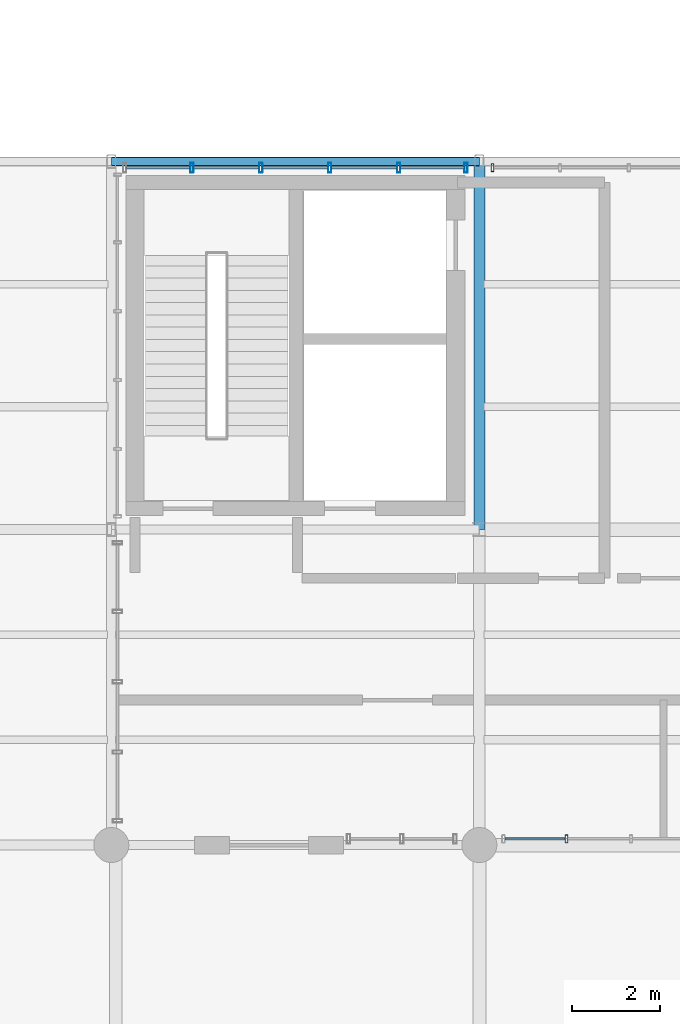
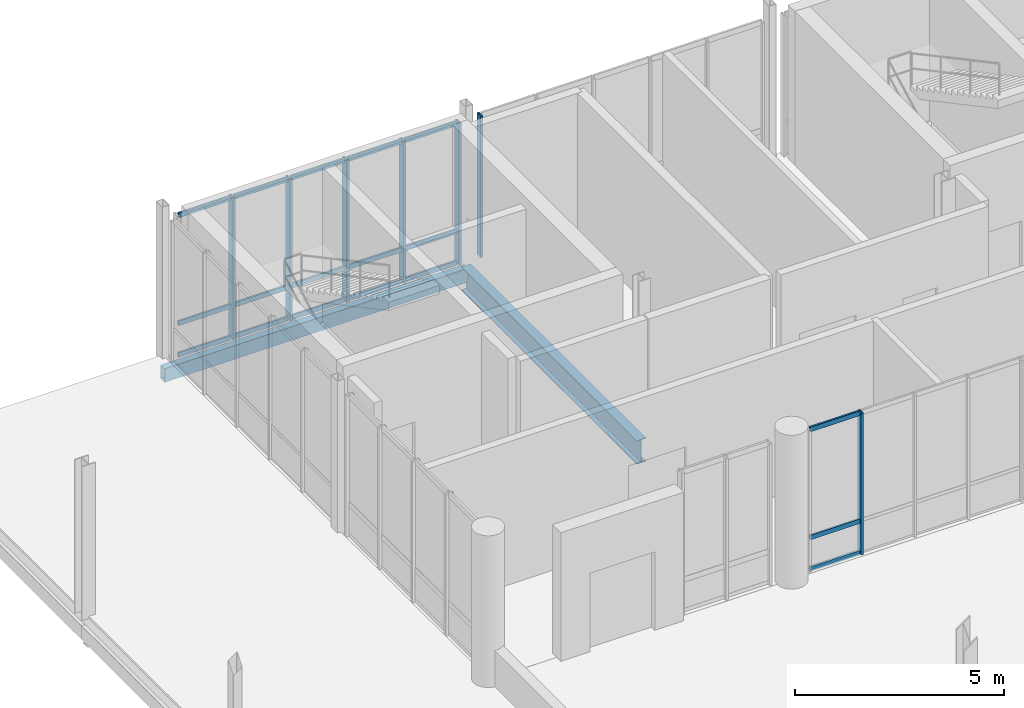
# One storey, part 11 of 68: 25 members, 2 beams, 3 elements without a shape of their own.
"""IFC4 building model written with IfcOpenShell, lengths in metres."""

from ifc_helpers import new_model, si_unit, direction, frame, origin_with_axes, origin_2d_with_axis, place, context, subcontext, project, spatial, hollow_rectangle, i_section, extrude, material, material_profile, profile_set, type_object, element, aggregate, save


model = new_model("IFC4")

# Units and contexts
model_context = context("Model", 3, precision=1e-05, world=origin_with_axes(), true_north=direction((0.0, 1.0)))
body_context = subcontext(model_context, "Body", "Model", "MODEL_VIEW")
ifc_project = project(units=[si_unit("LENGTHUNIT", "METRE"), si_unit("AREAUNIT", "SQUARE_METRE"), si_unit("VOLUMEUNIT", "CUBIC_METRE"), si_unit("PLANEANGLEUNIT", "RADIAN"), si_unit("MASSUNIT", "GRAM", prefix="KILO"), si_unit("THERMODYNAMICTEMPERATUREUNIT", "KELVIN")], contexts=[model_context])

# Site, building, storey
site_placement = place(None, origin_with_axes())
site = spatial("IfcSite", under=ifc_project, at=site_placement, CompositionType="ELEMENT")
building_placement = place(site_placement, origin_with_axes())
building = spatial("IfcBuilding", under=site, at=building_placement, Name="Montbau Bow Law Courts", CompositionType="ELEMENT")
storey_placement = place(building_placement, frame((0.0, 0.0, 20.4), z_axis=(0.0, 0.0, 1.0), x_axis=(1.0, 0.0, 0.0)))
storey = spatial("IfcBuildingStorey", under=building, at=storey_placement, Name="L04", CompositionType="ELEMENT", Elevation=20.4)

# Beams
ifc_material_1 = material(Name="Steel CSA G40.21 Grade 350W (350 MPa)", Category="steel")
ifc_material_profile_1 = material_profile(ifc_material_1, i_section(OverallWidth=0.254, OverallDepth=0.688, WebThickness=0.0131, FlangeThickness=0.0211, at=origin_2d_with_axis()), Name="W690X152", Category="Main", Priority=0)
ifc_profile_set_1 = profile_set([ifc_material_profile_1], Name="Steel CSA G40.21 Grade 350W (350 MPa)")
beam_type_1 = type_object("IfcBeamType", Name="B-FLR-04", PredefinedType="BEAM", material=ifc_profile_set_1)
beam_1_placement = place(None, frame((22.2, 46.2, 19.796), z_axis=(0.0, 1.0, 0.0), x_axis=(-1.0, 0.0, 0.0)))
element("IfcBeam", 1, at=beam_1_placement, inside=storey, type_object=beam_type_1, Name="BM-L04-S0644:bm2_0647", PredefinedType="BEAM", context=body_context, shape_type="SweptSolid", body=[
    extrude(i_section(OverallWidth=0.254, OverallDepth=0.688, WebThickness=0.0131, FlangeThickness=0.0211, at=origin_2d_with_axis()), origin_with_axes(), (0.0, 0.0, 1.0), 8.4),
])
ifc_material_2 = material(Name="Steel CSA G40.21 Grade 350WT (350 MPa)", Category="steel")
ifc_material_profile_2 = material_profile(ifc_material_2, hollow_rectangle(XDim=0.203, YDim=0.406, WallThickness=0.0127, InnerFilletRadius=0.0254, OuterFilletRadius=0.0127, at=origin_2d_with_axis()), Name="HSS406X203X13", Category="Main", Priority=0)
ifc_profile_set_2 = profile_set([ifc_material_profile_2], Name="Steel CSA G40.21 Grade 350WT (350 MPa)")
beam_type_2 = type_object("IfcBeamType", Name="B-SPN-01", PredefinedType="SPANDREL", material=ifc_profile_set_2)
beam_2_placement = place(None, frame((13.8, 54.6, 19.907), z_axis=(1.0, 0.0, 0.0), x_axis=(0.0, 1.0, 0.0)))
element("IfcBeam", 2, at=beam_2_placement, inside=storey, type_object=beam_type_2, Name="SPN-L04-S0633:bm2_0636", PredefinedType="SPANDREL", context=body_context, shape_type="SweptSolid", body=[
    extrude(hollow_rectangle(XDim=0.203, YDim=0.406, WallThickness=0.0127, InnerFilletRadius=0.0254, OuterFilletRadius=0.0127, at=origin_2d_with_axis()), origin_with_axes(), (0.0, 0.0, 1.0), 8.4),
])

# Curtain wall, members
ifc_material_3 = material(Name="Thermally Broken Extruded Aluminium AA 6063-T6", Category="aluminium")
curtain_wall_type = type_object("IfcCurtainWallType", Name="CW-NCK-01", PredefinedType="NOTDEFINED", material=ifc_material_3)
curtain_wall_1_placement = place(None, frame((14.068, 54.46, 20.4), z_axis=(0.0, 0.0, 1.0), x_axis=(1.0, 0.0, 0.0)))
curtain_wall_1 = element("IfcCurtainWall", 3, at=curtain_wall_1_placement, inside=storey, type_object=curtain_wall_type, Name="CW-L04-069:cw_0069", PredefinedType="NOTDEFINED")
ifc_material_profile_3 = material_profile(ifc_material_3, hollow_rectangle(XDim=0.075, YDim=0.22, WallThickness=0.005, InnerFilletRadius=0.01, OuterFilletRadius=0.005, at=origin_2d_with_axis()), Name="CWM-220X75", Category="Main", Priority=0)
ifc_profile_set_3 = profile_set([ifc_material_profile_3], Name="Thermally Broken Extruded Aluminium AA 6063-T6")
member_type_1 = type_object("IfcMemberType", Name="M-MUL-01", PredefinedType="MULLION", material=ifc_profile_set_3)
member_1_placement = place(None, frame((15.641, 54.46, 20.4), z_axis=(0.0, 0.0, 1.0), x_axis=(1.0, 0.0, 0.0)))
member_1 = element("IfcMember", 4, at=member_1_placement, type_object=member_type_1, Name="CW-L04-069-M02:cw_0069_M02", PredefinedType="MULLION", context=body_context, shape_type="SweptSolid", body=[
    extrude(hollow_rectangle(XDim=0.075, YDim=0.22, WallThickness=0.005, InnerFilletRadius=0.01, OuterFilletRadius=0.005, at=origin_2d_with_axis()), origin_with_axes(), (0.0, 0.0, 1.0), 4.14),
])
member_2_placement = place(None, frame((17.214, 54.46, 20.4), z_axis=(0.0, 0.0, 1.0), x_axis=(1.0, 0.0, 0.0)))
member_2 = element("IfcMember", 5, at=member_2_placement, type_object=member_type_1, Name="CW-L04-069-M03:cw_0069_M03", PredefinedType="MULLION", context=body_context, shape_type="SweptSolid", body=[
    extrude(hollow_rectangle(XDim=0.075, YDim=0.22, WallThickness=0.005, InnerFilletRadius=0.01, OuterFilletRadius=0.005, at=origin_2d_with_axis()), origin_with_axes(), (0.0, 0.0, 1.0), 4.14),
])
member_3_placement = place(None, frame((18.787, 54.46, 20.4), z_axis=(0.0, 0.0, 1.0), x_axis=(1.0, 0.0, 0.0)))
member_3 = element("IfcMember", 6, at=member_3_placement, type_object=member_type_1, Name="CW-L04-069-M04:cw_0069_M04", PredefinedType="MULLION", context=body_context, shape_type="SweptSolid", body=[
    extrude(hollow_rectangle(XDim=0.075, YDim=0.22, WallThickness=0.005, InnerFilletRadius=0.01, OuterFilletRadius=0.005, at=origin_2d_with_axis()), origin_with_axes(), (0.0, 0.0, 1.0), 4.14),
])
member_4_placement = place(None, frame((20.36, 54.46, 20.4), z_axis=(0.0, 0.0, 1.0), x_axis=(1.0, 0.0, 0.0)))
member_4 = element("IfcMember", 7, at=member_4_placement, type_object=member_type_1, Name="CW-L04-069-M05:cw_0069_M05", PredefinedType="MULLION", context=body_context, shape_type="SweptSolid", body=[
    extrude(hollow_rectangle(XDim=0.075, YDim=0.22, WallThickness=0.005, InnerFilletRadius=0.01, OuterFilletRadius=0.005, at=origin_2d_with_axis()), origin_with_axes(), (0.0, 0.0, 1.0), 4.14),
])
member_5_placement = place(None, frame((21.896, 54.46, 20.4), z_axis=(0.0, 0.0, 1.0), x_axis=(1.0, 0.0, 0.0)))
member_5 = element("IfcMember", 8, at=member_5_placement, type_object=member_type_1, Name="CW-L04-069-M06:cw_0069_M06", PredefinedType="MULLION", context=body_context, shape_type="SweptSolid", body=[
    extrude(hollow_rectangle(XDim=0.075, YDim=0.22, WallThickness=0.005, InnerFilletRadius=0.01, OuterFilletRadius=0.005, at=origin_2d_with_axis()), origin_with_axes(), (0.0, 0.0, 1.0), 4.14),
])

# Curtain wall, member
curtain_wall_2_placement = place(None, frame((22.715, 39.14, 20.4), z_axis=(0.0, 0.0, 1.0), x_axis=(1.0, 0.0, 0.0)))
curtain_wall_2 = element("IfcCurtainWall", 9, at=curtain_wall_2_placement, inside=storey, type_object=curtain_wall_type, Name="CW-L04-067:cw_0067", PredefinedType="NOTDEFINED")
ifc_material_profile_4 = material_profile(ifc_material_3, hollow_rectangle(XDim=0.065, YDim=0.18, WallThickness=0.005, InnerFilletRadius=0.01, OuterFilletRadius=0.005, at=origin_2d_with_axis()), Name="CWM-180X65", Category="Main", Priority=0)
ifc_profile_set_4 = profile_set([ifc_material_profile_4], Name="Thermally Broken Extruded Aluminium AA 6063-T6")
member_type_2 = type_object("IfcMemberType", Name="M-MUL-02", PredefinedType="MULLION", material=ifc_profile_set_4)
member_6_placement = place(None, frame((24.189, 39.14, 20.4), z_axis=(0.0, 0.0, 1.0), x_axis=(1.0, 0.0, 0.0)))
member_6 = element("IfcMember", 10, at=member_6_placement, type_object=member_type_2, Name="CW-L04-067-M02:cw_0067_M02", PredefinedType="MULLION", context=body_context, shape_type="SweptSolid", body=[
    extrude(hollow_rectangle(XDim=0.065, YDim=0.18, WallThickness=0.005, InnerFilletRadius=0.01, OuterFilletRadius=0.005, at=origin_2d_with_axis()), origin_with_axes(), (0.0, 0.0, 1.0), 4.14),
])

curtain_wall_3_placement = place(None, frame((22.467, 54.46, 20.4), z_axis=(0.0, 0.0, 1.0), x_axis=(1.0, 0.0, 0.0)))
curtain_wall_3 = element("IfcCurtainWall", 11, at=curtain_wall_3_placement, inside=storey, type_object=curtain_wall_type, Name="CW-L04-070:cw_0070", PredefinedType="NOTDEFINED")
member_7_placement = place(None, frame((22.5, 54.46, 20.4), z_axis=(0.0, 0.0, 1.0), x_axis=(1.0, 0.0, 0.0)))
member_7 = element("IfcMember", 12, at=member_7_placement, type_object=member_type_2, Name="CW-L04-070-M01:cw_0070_M01", PredefinedType="MULLION", context=body_context, shape_type="SweptSolid", body=[
    extrude(hollow_rectangle(XDim=0.065, YDim=0.18, WallThickness=0.005, InnerFilletRadius=0.01, OuterFilletRadius=0.005, at=origin_2d_with_axis()), origin_with_axes(), (0.0, 0.0, 1.0), 4.14),
])
aggregate(curtain_wall_3, [member_7])

# Member
ifc_material_profile_5 = material_profile(ifc_material_3, hollow_rectangle(XDim=0.055, YDim=0.14, WallThickness=0.004, InnerFilletRadius=0.008, OuterFilletRadius=0.004, at=origin_2d_with_axis()), Name="CWT-140X55", Category="Main", Priority=0)
ifc_profile_set_5 = profile_set([ifc_material_profile_5], Name="Thermally Broken Extruded Aluminium AA 6063-T6")
member_type_3 = type_object("IfcMemberType", Name="M-TRN-02", PredefinedType="USERDEFINED", material=ifc_profile_set_5)
member_8_placement = place(None, frame((22.783, 39.14, 20.427), z_axis=(1.0, 0.0, 0.0), x_axis=(0.0, 1.0, 0.0)))
member_8 = element("IfcMember", 13, at=member_8_placement, type_object=member_type_3, Name="CW-L04-067-T01-1:cw_0067_T01_1", ObjectType="TRANSOM", PredefinedType="USERDEFINED", context=body_context, shape_type="SweptSolid", body=[
    extrude(hollow_rectangle(XDim=0.055, YDim=0.14, WallThickness=0.004, InnerFilletRadius=0.008, OuterFilletRadius=0.004, at=origin_2d_with_axis()), origin_with_axes(), (0.0, 0.0, 1.0), 1.372),
])

member_9_placement = place(None, frame((22.783, 39.14, 21.35), z_axis=(1.0, 0.0, 0.0), x_axis=(0.0, 1.0, 0.0)))
member_9 = element("IfcMember", 14, at=member_9_placement, type_object=member_type_3, Name="CW-L04-067-T01-2:cw_0067_T01_2", ObjectType="TRANSOM", PredefinedType="USERDEFINED", context=body_context, shape_type="SweptSolid", body=[
    extrude(hollow_rectangle(XDim=0.055, YDim=0.14, WallThickness=0.004, InnerFilletRadius=0.008, OuterFilletRadius=0.004, at=origin_2d_with_axis()), origin_with_axes(), (0.0, 0.0, 1.0), 1.372),
])

member_10_placement = place(None, frame((22.783, 39.14, 24.512), z_axis=(1.0, 0.0, 0.0), x_axis=(0.0, 1.0, 0.0)))
member_10 = element("IfcMember", 15, at=member_10_placement, type_object=member_type_3, Name="CW-L04-067-T01-3:cw_0067_T01_3", ObjectType="TRANSOM", PredefinedType="USERDEFINED", context=body_context, shape_type="SweptSolid", body=[
    extrude(hollow_rectangle(XDim=0.055, YDim=0.14, WallThickness=0.004, InnerFilletRadius=0.008, OuterFilletRadius=0.004, at=origin_2d_with_axis()), origin_with_axes(), (0.0, 0.0, 1.0), 1.372),
])

aggregate(curtain_wall_2, [member_6, member_8, member_9, member_10])

member_11_placement = place(None, frame((14.144, 54.46, 20.427), z_axis=(1.0, 0.0, 0.0), x_axis=(0.0, 1.0, 0.0)))
member_11 = element("IfcMember", 16, at=member_11_placement, type_object=member_type_3, Name="CW-L04-069-T01-1:cw_0069_T01_1", ObjectType="TRANSOM", PredefinedType="USERDEFINED", context=body_context, shape_type="SweptSolid", body=[
    extrude(hollow_rectangle(XDim=0.055, YDim=0.14, WallThickness=0.004, InnerFilletRadius=0.008, OuterFilletRadius=0.004, at=origin_2d_with_axis()), origin_with_axes(), (0.0, 0.0, 1.0), 1.457),
])

member_12_placement = place(None, frame((14.144, 54.46, 21.35), z_axis=(1.0, 0.0, 0.0), x_axis=(0.0, 1.0, 0.0)))
member_12 = element("IfcMember", 17, at=member_12_placement, type_object=member_type_3, Name="CW-L04-069-T01-2:cw_0069_T01_2", ObjectType="TRANSOM", PredefinedType="USERDEFINED", context=body_context, shape_type="SweptSolid", body=[
    extrude(hollow_rectangle(XDim=0.055, YDim=0.14, WallThickness=0.004, InnerFilletRadius=0.008, OuterFilletRadius=0.004, at=origin_2d_with_axis()), origin_with_axes(), (0.0, 0.0, 1.0), 1.457),
])

member_13_placement = place(None, frame((14.144, 54.46, 24.512), z_axis=(1.0, 0.0, 0.0), x_axis=(0.0, 1.0, 0.0)))
member_13 = element("IfcMember", 18, at=member_13_placement, type_object=member_type_3, Name="CW-L04-069-T01-3:cw_0069_T01_3", ObjectType="TRANSOM", PredefinedType="USERDEFINED", context=body_context, shape_type="SweptSolid", body=[
    extrude(hollow_rectangle(XDim=0.055, YDim=0.14, WallThickness=0.004, InnerFilletRadius=0.008, OuterFilletRadius=0.004, at=origin_2d_with_axis()), origin_with_axes(), (0.0, 0.0, 1.0), 1.457),
])

member_14_placement = place(None, frame((15.681, 54.46, 20.427), z_axis=(1.0, 0.0, 0.0), x_axis=(0.0, 1.0, 0.0)))
member_14 = element("IfcMember", 19, at=member_14_placement, type_object=member_type_3, Name="CW-L04-069-T02-1:cw_0069_T02_1", ObjectType="TRANSOM", PredefinedType="USERDEFINED", context=body_context, shape_type="SweptSolid", body=[
    extrude(hollow_rectangle(XDim=0.055, YDim=0.14, WallThickness=0.004, InnerFilletRadius=0.008, OuterFilletRadius=0.004, at=origin_2d_with_axis()), origin_with_axes(), (0.0, 0.0, 1.0), 1.494),
])

member_15_placement = place(None, frame((15.681, 54.46, 21.35), z_axis=(1.0, 0.0, 0.0), x_axis=(0.0, 1.0, 0.0)))
member_15 = element("IfcMember", 20, at=member_15_placement, type_object=member_type_3, Name="CW-L04-069-T02-2:cw_0069_T02_2", ObjectType="TRANSOM", PredefinedType="USERDEFINED", context=body_context, shape_type="SweptSolid", body=[
    extrude(hollow_rectangle(XDim=0.055, YDim=0.14, WallThickness=0.004, InnerFilletRadius=0.008, OuterFilletRadius=0.004, at=origin_2d_with_axis()), origin_with_axes(), (0.0, 0.0, 1.0), 1.494),
])

member_16_placement = place(None, frame((15.681, 54.46, 24.512), z_axis=(1.0, 0.0, 0.0), x_axis=(0.0, 1.0, 0.0)))
member_16 = element("IfcMember", 21, at=member_16_placement, type_object=member_type_3, Name="CW-L04-069-T02-3:cw_0069_T02_3", ObjectType="TRANSOM", PredefinedType="USERDEFINED", context=body_context, shape_type="SweptSolid", body=[
    extrude(hollow_rectangle(XDim=0.055, YDim=0.14, WallThickness=0.004, InnerFilletRadius=0.008, OuterFilletRadius=0.004, at=origin_2d_with_axis()), origin_with_axes(), (0.0, 0.0, 1.0), 1.494),
])

member_17_placement = place(None, frame((17.253, 54.46, 20.427), z_axis=(1.0, 0.0, 0.0), x_axis=(0.0, 1.0, 0.0)))
member_17 = element("IfcMember", 22, at=member_17_placement, type_object=member_type_3, Name="CW-L04-069-T03-1:cw_0069_T03_1", ObjectType="TRANSOM", PredefinedType="USERDEFINED", context=body_context, shape_type="SweptSolid", body=[
    extrude(hollow_rectangle(XDim=0.055, YDim=0.14, WallThickness=0.004, InnerFilletRadius=0.008, OuterFilletRadius=0.004, at=origin_2d_with_axis()), origin_with_axes(), (0.0, 0.0, 1.0), 1.495),
])

member_18_placement = place(None, frame((17.253, 54.46, 21.35), z_axis=(1.0, 0.0, 0.0), x_axis=(0.0, 1.0, 0.0)))
member_18 = element("IfcMember", 23, at=member_18_placement, type_object=member_type_3, Name="CW-L04-069-T03-2:cw_0069_T03_2", ObjectType="TRANSOM", PredefinedType="USERDEFINED", context=body_context, shape_type="SweptSolid", body=[
    extrude(hollow_rectangle(XDim=0.055, YDim=0.14, WallThickness=0.004, InnerFilletRadius=0.008, OuterFilletRadius=0.004, at=origin_2d_with_axis()), origin_with_axes(), (0.0, 0.0, 1.0), 1.495),
])

member_19_placement = place(None, frame((17.253, 54.46, 24.512), z_axis=(1.0, 0.0, 0.0), x_axis=(0.0, 1.0, 0.0)))
member_19 = element("IfcMember", 24, at=member_19_placement, type_object=member_type_3, Name="CW-L04-069-T03-3:cw_0069_T03_3", ObjectType="TRANSOM", PredefinedType="USERDEFINED", context=body_context, shape_type="SweptSolid", body=[
    extrude(hollow_rectangle(XDim=0.055, YDim=0.14, WallThickness=0.004, InnerFilletRadius=0.008, OuterFilletRadius=0.004, at=origin_2d_with_axis()), origin_with_axes(), (0.0, 0.0, 1.0), 1.495),
])

member_20_placement = place(None, frame((18.826, 54.46, 20.427), z_axis=(1.0, 0.0, 0.0), x_axis=(0.0, 1.0, 0.0)))
member_20 = element("IfcMember", 25, at=member_20_placement, type_object=member_type_3, Name="CW-L04-069-T04-1:cw_0069_T04_1", ObjectType="TRANSOM", PredefinedType="USERDEFINED", context=body_context, shape_type="SweptSolid", body=[
    extrude(hollow_rectangle(XDim=0.055, YDim=0.14, WallThickness=0.004, InnerFilletRadius=0.008, OuterFilletRadius=0.004, at=origin_2d_with_axis()), origin_with_axes(), (0.0, 0.0, 1.0), 1.495),
])

member_21_placement = place(None, frame((18.826, 54.46, 21.35), z_axis=(1.0, 0.0, 0.0), x_axis=(0.0, 1.0, 0.0)))
member_21 = element("IfcMember", 26, at=member_21_placement, type_object=member_type_3, Name="CW-L04-069-T04-2:cw_0069_T04_2", ObjectType="TRANSOM", PredefinedType="USERDEFINED", context=body_context, shape_type="SweptSolid", body=[
    extrude(hollow_rectangle(XDim=0.055, YDim=0.14, WallThickness=0.004, InnerFilletRadius=0.008, OuterFilletRadius=0.004, at=origin_2d_with_axis()), origin_with_axes(), (0.0, 0.0, 1.0), 1.495),
])

member_22_placement = place(None, frame((18.826, 54.46, 24.512), z_axis=(1.0, 0.0, 0.0), x_axis=(0.0, 1.0, 0.0)))
member_22 = element("IfcMember", 27, at=member_22_placement, type_object=member_type_3, Name="CW-L04-069-T04-3:cw_0069_T04_3", ObjectType="TRANSOM", PredefinedType="USERDEFINED", context=body_context, shape_type="SweptSolid", body=[
    extrude(hollow_rectangle(XDim=0.055, YDim=0.14, WallThickness=0.004, InnerFilletRadius=0.008, OuterFilletRadius=0.004, at=origin_2d_with_axis()), origin_with_axes(), (0.0, 0.0, 1.0), 1.495),
])

member_23_placement = place(None, frame((20.399, 54.46, 20.427), z_axis=(1.0, 0.0, 0.0), x_axis=(0.0, 1.0, 0.0)))
member_23 = element("IfcMember", 28, at=member_23_placement, type_object=member_type_3, Name="CW-L04-069-T05-1:cw_0069_T05_1", ObjectType="TRANSOM", PredefinedType="USERDEFINED", context=body_context, shape_type="SweptSolid", body=[
    extrude(hollow_rectangle(XDim=0.055, YDim=0.14, WallThickness=0.004, InnerFilletRadius=0.008, OuterFilletRadius=0.004, at=origin_2d_with_axis()), origin_with_axes(), (0.0, 0.0, 1.0), 1.458),
])

member_24_placement = place(None, frame((20.399, 54.46, 21.35), z_axis=(1.0, 0.0, 0.0), x_axis=(0.0, 1.0, 0.0)))
member_24 = element("IfcMember", 29, at=member_24_placement, type_object=member_type_3, Name="CW-L04-069-T05-2:cw_0069_T05_2", ObjectType="TRANSOM", PredefinedType="USERDEFINED", context=body_context, shape_type="SweptSolid", body=[
    extrude(hollow_rectangle(XDim=0.055, YDim=0.14, WallThickness=0.004, InnerFilletRadius=0.008, OuterFilletRadius=0.004, at=origin_2d_with_axis()), origin_with_axes(), (0.0, 0.0, 1.0), 1.458),
])

member_25_placement = place(None, frame((20.399, 54.46, 24.512), z_axis=(1.0, 0.0, 0.0), x_axis=(0.0, 1.0, 0.0)))
member_25 = element("IfcMember", 30, at=member_25_placement, type_object=member_type_3, Name="CW-L04-069-T05-3:cw_0069_T05_3", ObjectType="TRANSOM", PredefinedType="USERDEFINED", context=body_context, shape_type="SweptSolid", body=[
    extrude(hollow_rectangle(XDim=0.055, YDim=0.14, WallThickness=0.004, InnerFilletRadius=0.008, OuterFilletRadius=0.004, at=origin_2d_with_axis()), origin_with_axes(), (0.0, 0.0, 1.0), 1.458),
])

aggregate(curtain_wall_1, [member_1, member_2, member_3, member_4, member_5, member_11, member_12, member_13, member_14, member_15, member_16, member_17, member_18, member_19, member_20, member_21, member_22, member_23, member_24, member_25])

save(model, "model.ifc")
